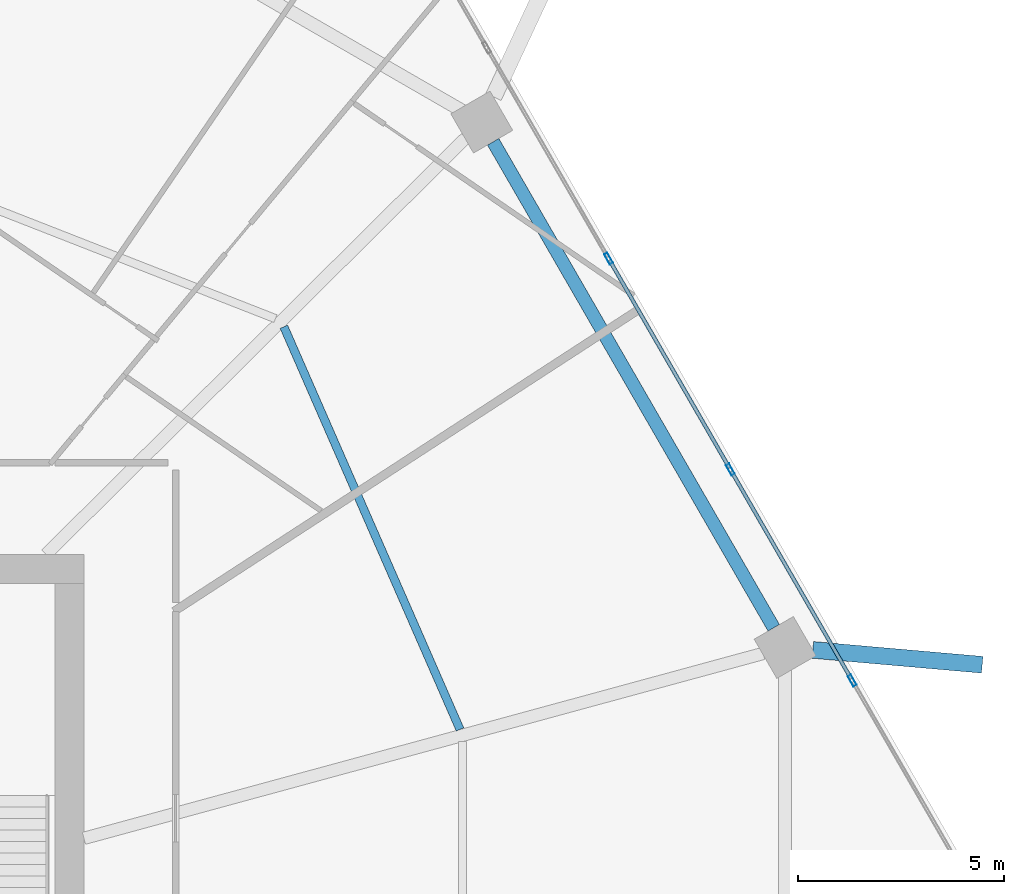
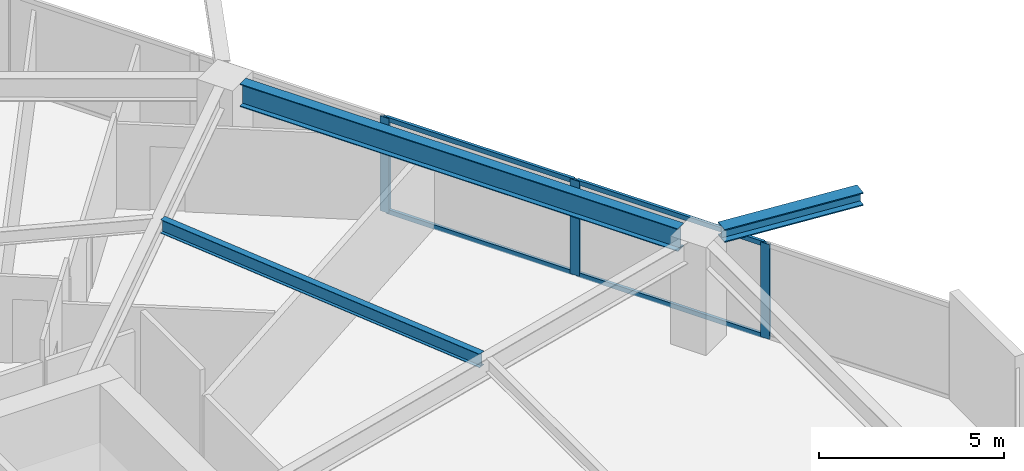
# One storey, part 17 of 32: 7 members, 3 beams, 1 element without a shape of its own.
"""IFC4 building model written with IfcOpenShell, lengths in metres."""

from ifc_helpers import new_model, si_unit, direction, frame, origin, origin_2d, place, context, subcontext, project, spatial, hollow_rectangle, i_section, extrude, material, material_profile, profile_set, type_object, element, aggregate, save


model = new_model("IFC4")

# Units and contexts
model_context = context("Model", 3, precision=1e-05, world=origin(), true_north=direction((0.0, 1.0)))
body_context = subcontext(model_context, "Body", "Model", "MODEL_VIEW")
ifc_project = project(units=[si_unit("LENGTHUNIT", "METRE"), si_unit("AREAUNIT", "SQUARE_METRE"), si_unit("VOLUMEUNIT", "CUBIC_METRE"), si_unit("PLANEANGLEUNIT", "RADIAN"), si_unit("MASSUNIT", "GRAM", prefix="KILO")], contexts=[model_context])

# Site, building, storey
site_placement = place(None, origin())
site = spatial("IfcSite", under=ifc_project, at=site_placement, CompositionType="ELEMENT")
building_placement = place(site_placement, origin())
building = spatial("IfcBuilding", under=site, at=building_placement, Name="Zuhravey Tower", CompositionType="ELEMENT")
storey_placement = place(building_placement, frame((0.0, 0.0, 119.0)))
storey = spatial("IfcBuildingStorey", under=building, at=storey_placement, Name="L29", CompositionType="ELEMENT", Elevation=119.0)

# Curtain wall, members
ifc_material_1 = material(Name="Thermally broken anodised aluminium", Category="aluminium")
curtain_wall_type = type_object("IfcCurtainWallType", Name="Zone 1-2 Residential Curtain Wall CW3", PredefinedType="NOTDEFINED", material=ifc_material_1)
curtain_wall_placement = place(storey_placement, origin())
curtain_wall = element("IfcCurtainWall", 1, at=curtain_wall_placement, inside=storey, type_object=curtain_wall_type, Name="L29 CW3 CW-L29-F1-1", PredefinedType="NOTDEFINED")
ifc_material_2 = material(Name="Anodised aluminium", Category="aluminium")
ifc_material_profile_1 = material_profile(ifc_material_2, hollow_rectangle(XDim=0.090087890625, YDim=0.284912109375, WallThickness=0.0048828125, at=origin_2d()), Name="ALU-RHS-90x285x5")
ifc_profile_set_1 = profile_set([ifc_material_profile_1], Name="Anodised aluminium")
member_type_1 = type_object("IfcMemberType", Name="Curtain-Wall Mullion 90x180", PredefinedType="MULLION", material=ifc_profile_set_1)
member_1_placement = place(storey_placement, frame((59.598876953125, 49.04248046875, 0.0), z_axis=(0.0, 0.0, 1.0), x_axis=(0.86602552265, 0.499999794119, 0.0)))
member_1 = element("IfcMember", 2, at=member_1_placement, type_object=member_type_1, Name="CW3 mullion 3", PredefinedType="MULLION", context=body_context, shape_type="SweptSolid", body=[
    extrude(hollow_rectangle(XDim=0.090087890625, YDim=0.284912109375, WallThickness=0.0048828125, at=origin_2d()), origin(), (0.0, 0.0, 1.0), 3.1220703125),
])
member_2_placement = place(storey_placement, frame((62.55859375, 43.916015625, 0.0), z_axis=(0.0, 0.0, 1.0), x_axis=(0.86602552265, 0.499999794119, 0.0)))
member_2 = element("IfcMember", 3, at=member_2_placement, type_object=member_type_1, Name="CW3 mullion 4", PredefinedType="MULLION", context=body_context, shape_type="SweptSolid", body=[
    extrude(hollow_rectangle(XDim=0.090087890625, YDim=0.284912109375, WallThickness=0.0048828125, at=origin_2d()), origin(), (0.0, 0.0, 1.0), 3.1220703125),
])
member_3_placement = place(storey_placement, frame((65.5185546875, 38.789306640625, 0.0), z_axis=(0.0, 0.0, 1.0), x_axis=(0.86602552265, 0.499999794119, 0.0)))
member_3 = element("IfcMember", 4, at=member_3_placement, type_object=member_type_1, Name="CW3 mullion 5", PredefinedType="MULLION", context=body_context, shape_type="SweptSolid", body=[
    extrude(hollow_rectangle(XDim=0.090087890625, YDim=0.284912109375, WallThickness=0.0048828125, at=origin_2d()), origin(), (0.0, 0.0, 1.0), 3.1220703125),
])
ifc_material_profile_2 = material_profile(ifc_material_2, hollow_rectangle(XDim=0.090087890625, YDim=0.14990234375, WallThickness=0.0048828125, at=origin_2d()), Name="ALU-RHS-90x150x5")
ifc_profile_set_2 = profile_set([ifc_material_profile_2], Name="Anodised aluminium")
member_type_2 = type_object("IfcMemberType", Name="Curtain-Wall Transom 90x150", PredefinedType="USERDEFINED", material=ifc_profile_set_2)
member_4_placement = place(storey_placement, frame((59.621337890625, 49.003662109375, 0.044921875), z_axis=(0.499981042766, -0.866036348472, 0.0), x_axis=(0.866036348472, 0.499981042766, 0.0)))
member_4 = element("IfcMember", 5, at=member_4_placement, type_object=member_type_2, Name="CW3 transom 3.1", ObjectType="TRANSOM", PredefinedType="USERDEFINED", context=body_context, shape_type="SweptSolid", body=[
    extrude(hollow_rectangle(XDim=0.090087890625, YDim=0.14990234375, WallThickness=0.0048828125, at=origin_2d()), origin(), (0.0, 0.0, 1.0), 5.829833984375),
])
member_5_placement = place(storey_placement, frame((59.621337890625, 49.003662109375, 3.076904296875), z_axis=(0.499981042766, -0.866036348472, 0.0), x_axis=(0.866036348472, 0.499981042766, 0.0)))
member_5 = element("IfcMember", 6, at=member_5_placement, type_object=member_type_2, Name="CW3 transom 3.2", ObjectType="TRANSOM", PredefinedType="USERDEFINED", context=body_context, shape_type="SweptSolid", body=[
    extrude(hollow_rectangle(XDim=0.090087890625, YDim=0.14990234375, WallThickness=0.0048828125, at=origin_2d()), origin(), (0.0, 0.0, 1.0), 5.829833984375),
])
member_6_placement = place(storey_placement, frame((62.581298828125, 43.876953125, 0.044921875), z_axis=(0.499981042766, -0.866036348472, 0.0), x_axis=(0.866036348472, 0.499981042766, 0.0)))
member_6 = element("IfcMember", 7, at=member_6_placement, type_object=member_type_2, Name="CW3 transom 4.1", ObjectType="TRANSOM", PredefinedType="USERDEFINED", context=body_context, shape_type="SweptSolid", body=[
    extrude(hollow_rectangle(XDim=0.090087890625, YDim=0.14990234375, WallThickness=0.0048828125, at=origin_2d()), origin(), (0.0, 0.0, 1.0), 5.829833984375),
])
member_7_placement = place(storey_placement, frame((62.581298828125, 43.876953125, 3.076904296875), z_axis=(0.499981042766, -0.866036348472, 0.0), x_axis=(0.866036348472, 0.499981042766, 0.0)))
member_7 = element("IfcMember", 8, at=member_7_placement, type_object=member_type_2, Name="CW3 transom 4.2", ObjectType="TRANSOM", PredefinedType="USERDEFINED", context=body_context, shape_type="SweptSolid", body=[
    extrude(hollow_rectangle(XDim=0.090087890625, YDim=0.14990234375, WallThickness=0.0048828125, at=origin_2d()), origin(), (0.0, 0.0, 1.0), 5.829833984375),
])
aggregate(curtain_wall, [member_1, member_2, member_3, member_4, member_5, member_6, member_7])

# Beams
ifc_material_3 = material(Name="Steel SM460", Category="steel")
ifc_material_profile_3 = material_profile(ifc_material_3, i_section(OverallWidth=0.406982421875, OverallDepth=0.427978515625, WebThickness=0.02001953125, FlangeThickness=0.034912109375, at=origin_2d()), Name="H-428x407x20x35")
ifc_profile_set_3 = profile_set([ifc_material_profile_3], Name="Steel SM460")
beam_type_1 = type_object("IfcBeamType", Name="Exoskeleton Node Tie Beam H428x407", PredefinedType="BEAM", material=ifc_profile_set_3)
beam_1_placement = place(storey_placement, frame((64.56201171875, 39.53271484375, 3.3359375), z_axis=(0.996180045608, -0.08732305957, 0.0), x_axis=(0.08732305957, 0.996180045608, 0.0)))
element("IfcBeam", 9, at=beam_1_placement, inside=storey, type_object=beam_type_1, Name="L29 Exoskeleton Node Tie NT1-01", PredefinedType="BEAM", context=body_context, shape_type="SweptSolid", body=[
    extrude(i_section(OverallWidth=0.406982421875, OverallDepth=0.427978515625, WebThickness=0.02001953125, FlangeThickness=0.034912109375, at=origin_2d()), origin(), (0.0, 0.0, 1.0), 4.13232421875),
])
ifc_material_4 = material(Name="Steel SM355", Category="steel")
ifc_material_profile_4 = material_profile(ifc_material_4, i_section(OverallWidth=0.320068359375, OverallDepth=0.75, WebThickness=0.013916015625, FlangeThickness=0.02490234375, at=origin_2d()), Name="H-750x320x14x25")
ifc_profile_set_4 = profile_set([ifc_material_profile_4], Name="Steel SM355")
beam_type_2 = type_object("IfcBeamType", Name="Perimeter Ring Beam H750x320", PredefinedType="BEAM", material=ifc_profile_set_4)
beam_2_placement = place(storey_placement, frame((63.612548828125, 40.070556640625, 3.175048828125), z_axis=(-0.500008177929, 0.866020682204, 0.0), x_axis=(-0.866020682204, -0.500008177929, 0.0)))
element("IfcBeam", 10, at=beam_2_placement, inside=storey, type_object=beam_type_2, Name="L29 PB1 BM-L29-PB-01", PredefinedType="BEAM", context=body_context, shape_type="SweptSolid", body=[
    extrude(i_section(OverallWidth=0.320068359375, OverallDepth=0.75, WebThickness=0.013916015625, FlangeThickness=0.02490234375, at=origin_2d()), origin(), (0.0, 0.0, 1.0), 13.634033203125),
])
ifc_material_profile_5 = material_profile(ifc_material_4, i_section(OverallWidth=0.199951171875, OverallDepth=0.449951171875, WebThickness=0.009033203125, FlangeThickness=0.013916015625, at=origin_2d()), Name="H-450x200x9x14")
ifc_profile_set_5 = profile_set([ifc_material_profile_5], Name="Steel SM355")
beam_type_3 = type_object("IfcBeamType", Name="Secondary Floor Joist H450x200", PredefinedType="JOIST", material=ifc_profile_set_5)
beam_3_placement = place(storey_placement, frame((55.99072265625, 37.599609375, 3.324951171875), z_axis=(-0.400786454617, 0.916171500209, 0.0), x_axis=(-0.916171500209, -0.400786454617, 0.0)))
element("IfcBeam", 11, at=beam_3_placement, inside=storey, type_object=beam_type_3, Name="L29 SJ1 BM-L29-SJ-01-1", PredefinedType="JOIST", context=body_context, shape_type="SweptSolid", body=[
    extrude(i_section(OverallWidth=0.199951171875, OverallDepth=0.449951171875, WebThickness=0.009033203125, FlangeThickness=0.013916015625, at=origin_2d()), origin(), (0.0, 0.0, 1.0), 10.6796875),
])

save(model, "model.ifc")
